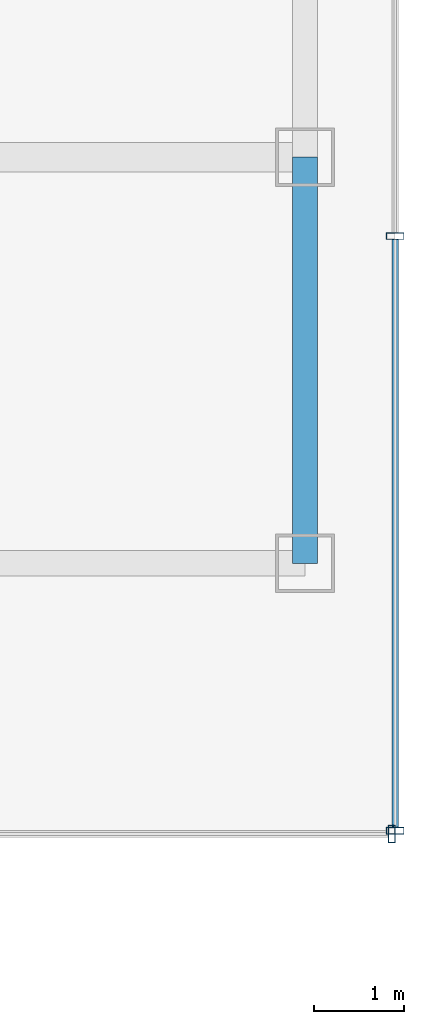
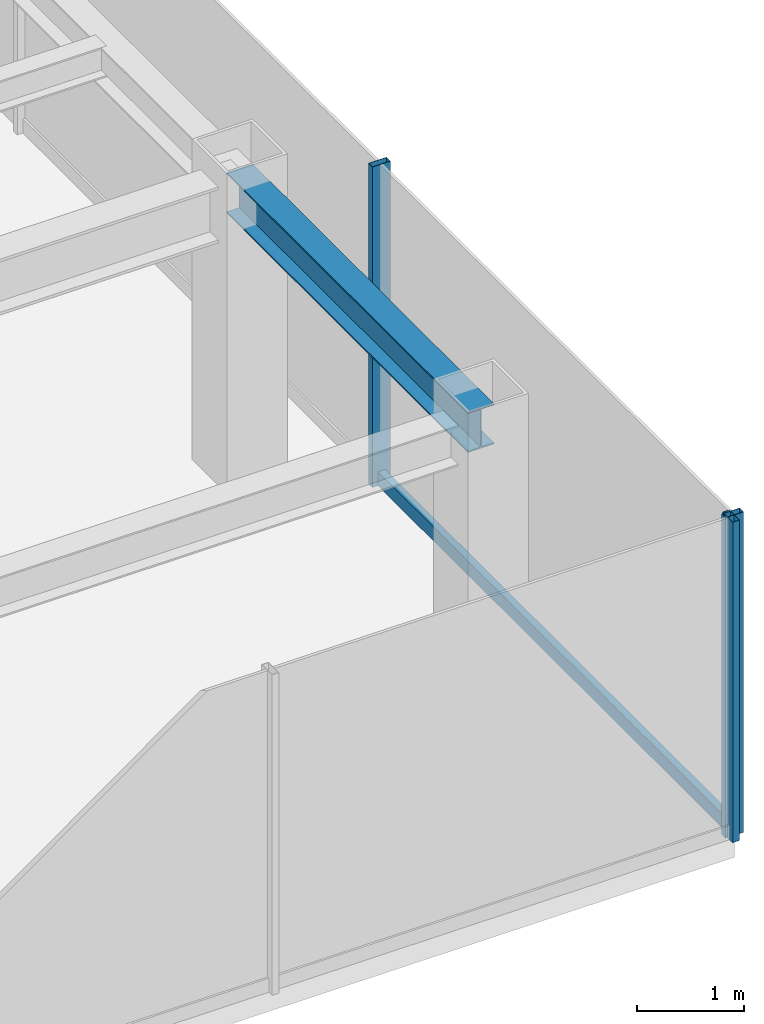
# One storey, part 11 of 25: 4 members, 1 beam, 2 elements without a shape of their own.
"""IFC4 building model written with IfcOpenShell, lengths in metres."""

from ifc_helpers import new_model, si_unit, derived_unit, direction, frame, origin, origin_2d, place, context, subcontext, project, spatial, hollow_rectangle, i_section, extrude, source, transform, mapped, material, material_profile, profile_set, type_object, element, aggregate, save


model = new_model("IFC4")

# Units and contexts
model_context = context("Model", 3, precision=1e-05, world=origin(), true_north=direction((0.0, 1.0)))
body_context = subcontext(model_context, "Body", "Model", "MODEL_VIEW")
ifc_project = project(units=[si_unit("LENGTHUNIT", "METRE"), si_unit("AREAUNIT", "SQUARE_METRE"), si_unit("VOLUMEUNIT", "CUBIC_METRE"), si_unit("PLANEANGLEUNIT", "RADIAN"), si_unit("MASSUNIT", "GRAM", prefix="KILO"), derived_unit("THERMALTRANSMITTANCEUNIT", [(si_unit("POWERUNIT", "WATT"), 1), (si_unit("LENGTHUNIT", "METRE"), -2), (si_unit("THERMODYNAMICTEMPERATUREUNIT", "KELVIN"), -1)])], contexts=[model_context])

# Site, building, storey
site_placement = place(None, origin())
site = spatial("IfcSite", under=ifc_project, at=site_placement, CompositionType="ELEMENT")
building_placement = place(site_placement, origin())
building = spatial("IfcBuilding", under=site, at=building_placement, Name="Skarnbrae Concourse Arena and Tower", CompositionType="ELEMENT")
storey_placement = place(building_placement, frame((0.0, 0.0, 151.550048828125)))
storey = spatial("IfcBuildingStorey", under=building, at=storey_placement, Name="L38", CompositionType="ELEMENT", Elevation=151.550048828125)

# Beam
ifc_material_1 = material(Name="Steel CSA G40.21 350W", Category="steel")
ifc_material_profile_1 = material_profile(ifc_material_1, i_section(OverallWidth=0.280029296875, OverallDepth=0.462890625, WebThickness=0.0107421875, FlangeThickness=0.017333984375, at=origin_2d()), Name="W460X113")
ifc_profile_set_1 = profile_set([ifc_material_profile_1], Name="Steel CSA G40.21 350W")
beam_type = type_object("IfcBeamType", Name="BM-SPAN-W460X113", PredefinedType="SPANDREL", material=ifc_profile_set_1)
shared_shape_1 = source(origin(), body_context, "Body", "SweptSolid", [
    extrude(i_section(OverallWidth=0.280029296875, OverallDepth=0.462890625, WebThickness=0.0107421875, FlangeThickness=0.017333984375, at=origin_2d()), origin(), (0.0, 0.0, 1.0), 4.5),
])
beam_placement = place(storey_placement, frame((49.0, 9.5, 3.16845703125), z_axis=(0.0, 1.0, 0.0), x_axis=(-1.0, 0.0, 0.0)))
element("IfcBeam", 1, at=beam_placement, inside=storey, type_object=beam_type, Name="L38 Perimeter spandrel X49.0-1", PredefinedType="SPANDREL", context=body_context, shape_type="MappedRepresentation", body=[
    mapped(shared_shape_1, transform((0.0, 0.0, 0.0))),
])

# Curtain wall, member
ifc_material_2 = material(Name="Bronze anodised aluminium 6063-T6", Category="aluminium")
curtain_wall_type = type_object("IfcCurtainWallType", Name="CW-SYS-04-MIDZONE", PredefinedType="USERDEFINED", material=ifc_material_2)
curtain_wall_1_placement = place(storey_placement, origin())
curtain_wall_1 = element("IfcCurtainWall", 2, at=curtain_wall_1_placement, inside=storey, type_object=curtain_wall_type, Name="L38 Unitised curtain wall CW-L38-E03", ObjectType="UNITISED CURTAIN WALL", PredefinedType="USERDEFINED")
ifc_material_profile_2 = material_profile(ifc_material_2, hollow_rectangle(XDim=0.074951171875, YDim=0.195068359375, WallThickness=0.00439453125, at=origin_2d()), Name="ALU-MULL-75X195")
ifc_profile_set_2 = profile_set([ifc_material_profile_2], Name="Bronze anodised aluminium 6063-T6")
member_type_1 = type_object("IfcMemberType", Name="CWM-CW-04", PredefinedType="MULLION", material=ifc_profile_set_2)
shared_shape_2 = source(origin(), body_context, "Body", "SweptSolid", [
    extrude(hollow_rectangle(XDim=0.074951171875, YDim=0.195068359375, WallThickness=0.00439453125, at=origin_2d()), origin(), (0.0, 0.0, 1.0), 3.64990234375),
])
member_1_placement = place(storey_placement, frame((49.96240234375, 6.5, 0.0), z_axis=(0.0, 0.0, 1.0), x_axis=(1.0, 0.0, 0.0)))
member_1 = element("IfcMember", 3, at=member_1_placement, type_object=member_type_1, Name="CW-L38-E03 Mullion 3", PredefinedType="MULLION", context=body_context, shape_type="MappedRepresentation", body=[
    mapped(shared_shape_2, transform((0.0, 0.0, 0.0))),
])
aggregate(curtain_wall_1, [member_1])

# Curtain wall, members
curtain_wall_2_placement = place(storey_placement, origin())
curtain_wall_2 = element("IfcCurtainWall", 4, at=curtain_wall_2_placement, inside=storey, type_object=curtain_wall_type, Name="L38 Unitised curtain wall CW-L38-E04", ObjectType="UNITISED CURTAIN WALL", PredefinedType="USERDEFINED")
member_2_placement = place(storey_placement, frame((50.0, 6.53759765625, 0.0), z_axis=(0.0, 0.0, 1.0), x_axis=(0.0, 1.0, 0.0)))
member_2 = element("IfcMember", 5, at=member_2_placement, type_object=member_type_1, Name="CW-L38-E04 Mullion 1", PredefinedType="MULLION", context=body_context, shape_type="MappedRepresentation", body=[
    mapped(shared_shape_2, transform((0.0, 0.0, 0.0))),
])
member_3_placement = place(storey_placement, frame((50.0, 13.125, 0.0), z_axis=(0.0, 0.0, 1.0), x_axis=(0.0, 1.0, 0.0)))
member_3 = element("IfcMember", 6, at=member_3_placement, type_object=member_type_1, Name="CW-L38-E04 Mullion 2", PredefinedType="MULLION", context=body_context, shape_type="MappedRepresentation", body=[
    mapped(shared_shape_2, transform((0.0, 0.0, 0.0))),
])
ifc_material_profile_3 = material_profile(ifc_material_2, hollow_rectangle(XDim=0.074951171875, YDim=0.159912109375, WallThickness=0.00439453125, at=origin_2d()), Name="ALU-TRAN-75X160")
ifc_profile_set_3 = profile_set([ifc_material_profile_3], Name="Bronze anodised aluminium 6063-T6")
member_type_2 = type_object("IfcMemberType", Name="CWT-CW-04", PredefinedType="USERDEFINED", material=ifc_profile_set_3)
shared_shape_3 = source(origin(), body_context, "Body", "SweptSolid", [
    extrude(hollow_rectangle(XDim=0.074951171875, YDim=0.159912109375, WallThickness=0.00439453125, at=origin_2d()), origin(), (0.0, 0.0, 1.0), 6.512451171875),
])
member_4_placement = place(storey_placement, frame((50.0, 6.574951171875, 0.079833984375), z_axis=(0.0, 1.0, 0.0), x_axis=(-1.0, 0.0, 0.0)))
member_4 = element("IfcMember", 7, at=member_4_placement, type_object=member_type_2, Name="CW-L38-E04 Transom 1", ObjectType="TRANSOM", PredefinedType="USERDEFINED", context=body_context, shape_type="MappedRepresentation", body=[
    mapped(shared_shape_3, transform((0.0, 0.0, 0.0))),
])
aggregate(curtain_wall_2, [member_2, member_3, member_4])

save(model, "model.ifc")
